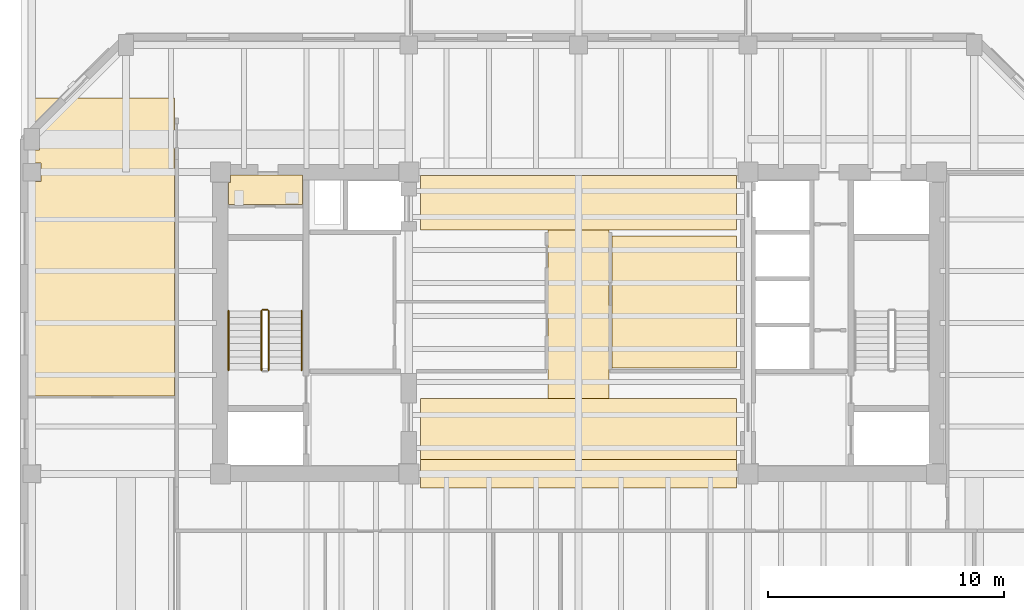
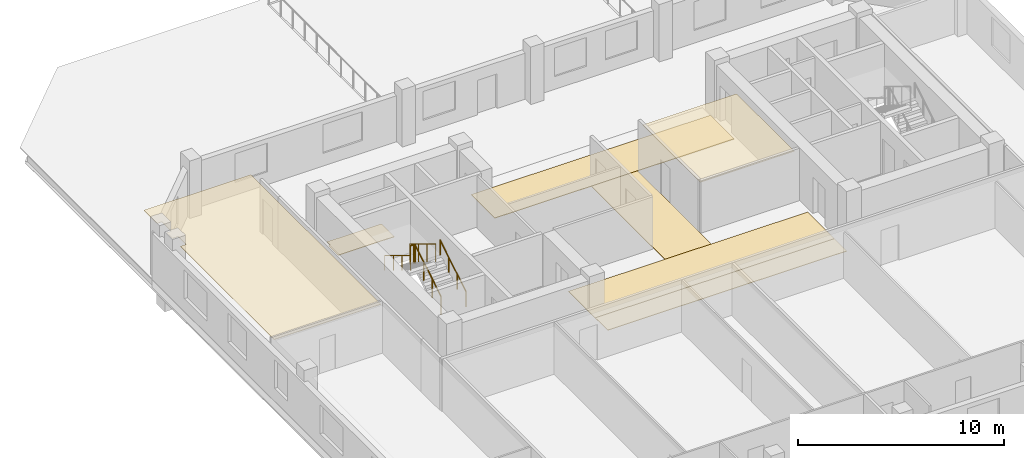
# One storey, part 8 of 11: 7 coverings, 5 railings.
"""IFC4 building model written with IfcOpenShell, lengths in metres."""

from ifc_helpers import new_model, si_unit, direction, frame, origin, origin_2d, place, context, subcontext, project, spatial, polyline, circle, outline, extrude, material, layer, layer_set, type_object, element, save


model = new_model("IFC4")

# Units and contexts
model_context = context("Model", 3, precision=1e-05, world=origin(), true_north=direction((0.0, 1.0)))
body_context = subcontext(model_context, "Body", "Model", "MODEL_VIEW")
ifc_project = project(units=[si_unit("LENGTHUNIT", "METRE"), si_unit("AREAUNIT", "SQUARE_METRE"), si_unit("VOLUMEUNIT", "CUBIC_METRE"), si_unit("PLANEANGLEUNIT", "RADIAN"), si_unit("MASSUNIT", "GRAM", prefix="KILO")], contexts=[model_context])

# Site, building, storey
site_placement = place(None, origin())
site = spatial("IfcSite", under=ifc_project, at=site_placement, CompositionType="ELEMENT")
building_placement = place(site_placement, origin())
building = spatial("IfcBuilding", under=site, at=building_placement, Name="Kranthara Brick Stack", CompositionType="ELEMENT")
storey_placement = place(building_placement, frame((0.0, 0.0, 207.5)))
storey = spatial("IfcBuildingStorey", under=building, at=storey_placement, Name="L53", CompositionType="ELEMENT", Elevation=207.5)

# Coverings
ifc_material_1 = material(Name="Perforated mineral-fibre acoustic ceiling tile", Category="other")
ifc_layer_1 = layer(ifc_material_1, 0.02490234375)
ifc_layer_set_1 = layer_set([ifc_layer_1], Name="Perforated mineral-fibre acoustic ceiling tile")
covering_type_1 = type_object("IfcCoveringType", Name="COV-CEIL-ACOUSTIC", PredefinedType="CEILING", material=ifc_layer_set_1)
covering_1_placement = place(storey_placement, frame((0.0, 0.0, 2.830078125)))
element("IfcCovering", 1, at=covering_1_placement, inside=storey, type_object=covering_type_1, Name="L53 L53 Sky Club Tea Salon Acoustic Ceiling", PredefinedType="CEILING", context=body_context, shape_type="SweptSolid", body=[
    extrude(outline(polyline([(34.699951171875, 25.300048828125), (34.699951171875, 30.89990234375), (29.429931640625, 30.89990234375), (29.429931640625, 25.300048828125), (34.699951171875, 25.300048828125)])), origin(), (0.0, 0.0, 1.0), 0.02490234375),
])
covering_2_placement = place(storey_placement, frame((0.0, 0.0, 2.830078125)))
element("IfcCovering", 2, at=covering_2_placement, inside=storey, type_object=covering_type_1, Name="L53 Unit L53C 1-Bed Apartment Living Dining Acoustic Ceiling", PredefinedType="CEILING", context=body_context, shape_type="SweptSolid", body=[
    extrude(outline(polyline([(10.860107421875, 36.75), (10.860107421875, 24.112060546875), (4.8701171875, 24.112060546875), (4.8701171875, 33.215087890625), (5.18505859375, 33.215087890625), (5.18505859375, 33.985107421875), (4.8701171875, 33.985107421875), (4.8701171875, 34.5400390625), (5.135009765625, 34.5400390625), (5.135009765625, 35.4599609375), (4.8701171875, 35.4599609375), (4.8701171875, 36.75), (10.860107421875, 36.75)])), origin(), (0.0, 0.0, 1.0), 0.02490234375),
])
ifc_material_2 = material(Name="Honed terrazzo and porcelain floor finish", Category="stone")
ifc_layer_2 = layer(ifc_material_2, 0.030029296875)
ifc_layer_set_2 = layer_set([ifc_layer_2], Name="Honed terrazzo and porcelain floor finish")
covering_type_2 = type_object("IfcCoveringType", Name="COV-FLOR-STONE", PredefinedType="FLOORING", material=ifc_layer_set_2)
covering_3_placement = place(storey_placement, origin())
element("IfcCovering", 3, at=covering_3_placement, inside=storey, type_object=covering_type_2, Name="L53 Wet Room Porcelain Flooring", PredefinedType="FLOORING", context=body_context, shape_type="SweptSolid", body=[
    extrude(outline(polyline([(16.300048828125, 33.47998046875), (16.300048828125, 32.22998046875), (13.14990234375, 32.22998046875), (13.14990234375, 33.1650390625), (13.235107421875, 33.1650390625), (13.235107421875, 33.47998046875), (16.300048828125, 33.47998046875)])), origin(), (0.0, 0.0, 1.0), 0.030029296875),
])
covering_4_placement = place(storey_placement, origin())
element("IfcCovering", 4, at=covering_4_placement, inside=storey, type_object=covering_type_2, Name="L53 Lift Lobby Stone Flooring", PredefinedType="FLOORING", context=body_context, shape_type="SweptSolid", body=[
    extrude(outline(polyline([(34.699951171875, 21.39990234375), (34.699951171875, 24.0), (21.300048828125, 24.0), (21.300048828125, 21.39990234375), (34.699951171875, 21.39990234375)])), origin(), (0.0, 0.0, 1.0), 0.030029296875),
])
covering_5_placement = place(storey_placement, origin())
element("IfcCovering", 5, at=covering_5_placement, inside=storey, type_object=covering_type_2, Name="L53 Lift Lobby Stone Flooring", PredefinedType="FLOORING", context=body_context, shape_type="SweptSolid", body=[
    extrude(outline(polyline([(34.699951171875, 31.14990234375), (34.699951171875, 33.449951171875), (21.300048828125, 33.449951171875), (21.300048828125, 31.14990234375), (34.699951171875, 31.14990234375)])), origin(), (0.0, 0.0, 1.0), 0.030029296875),
])
covering_6_placement = place(storey_placement, origin())
element("IfcCovering", 6, at=covering_6_placement, inside=storey, type_object=covering_type_2, Name="L53 Lift Lobby Stone Flooring", PredefinedType="FLOORING", context=body_context, shape_type="SweptSolid", body=[
    extrude(outline(polyline([(29.300048828125, 24.0), (26.699951171875, 24.0), (26.699951171875, 31.14990234375), (29.300048828125, 31.14990234375), (29.300048828125, 24.0)])), origin(), (0.0, 0.0, 1.0), 0.030029296875),
])
covering_7_placement = place(storey_placement, origin())
element("IfcCovering", 7, at=covering_7_placement, inside=storey, type_object=covering_type_2, Name="L53 Lift Lobby Stone Flooring", PredefinedType="FLOORING", context=body_context, shape_type="SweptSolid", body=[
    extrude(outline(polyline([(34.699951171875, 20.199951171875), (21.300048828125, 20.199951171875), (21.300048828125, 21.39990234375), (34.699951171875, 21.39990234375), (34.699951171875, 20.199951171875)])), origin(), (0.0, 0.0, 1.0), 0.030029296875),
])

# Railings
ifc_material_3 = material(Name="Painted galvanized steel stair guardrail", Category="steel")
railing_type_1 = type_object("IfcRailingType", Name="RL-STAIR-GUARD-1100", PredefinedType="GUARDRAIL", material=ifc_material_3)
railing_1_placement = place(storey_placement, frame((14.85009765625, 25.199951171875, 0.169921875)))
element("IfcRailing", 8, at=railing_1_placement, inside=storey, type_object=railing_type_1, Name="L53 ST01 stair guard 1", PredefinedType="GUARDRAIL", context=body_context, shape_type="SweptSolid", body=[
    extrude(circle(Radius=0.02392578125, at=origin_2d()), frame((0.0, 0.0, 1.076171875), z_axis=(0.0, 0.85478489116, 0.518982456201), x_axis=(-1.0, 0.0, 0.0)), (0.0, 0.0, 1.0), 2.9482421875),
    extrude(circle(Radius=0.02099609375, at=origin_2d()), origin(), (0.0, 0.0, 1.0), 1.052001953125),
    extrude(circle(Radius=0.02099609375, at=origin_2d()), frame((0.0, 0.840087890625, 0.510009765625)), (0.0, 0.0, 1.0), 1.052001953125),
    extrude(circle(Radius=0.02099609375, at=origin_2d()), frame((0.0, 1.679931640625, 1.02001953125)), (0.0, 0.0, 1.0), 1.052001953125),
    extrude(circle(Radius=0.02099609375, at=origin_2d()), frame((0.0, 2.52001953125, 1.530029296875)), (0.0, 0.0, 1.0), 1.052001953125),
])
railing_2_placement = place(storey_placement, frame((14.800048828125, 27.77001953125, 1.699951171875)))
element("IfcRailing", 9, at=railing_2_placement, inside=storey, type_object=railing_type_1, Name="L53 ST01 stair guard 2", PredefinedType="GUARDRAIL", context=body_context, shape_type="SweptSolid", body=[
    extrude(circle(Radius=0.02392578125, at=origin_2d()), frame((0.0, 0.0, 1.076171875), z_axis=(-1.0, 0.0, 0.0), x_axis=(0.0, -1.0, 0.0)), (0.0, 0.0, 1.0), 0.199951171875),
    extrude(circle(Radius=0.02099609375, at=origin_2d()), origin(), (0.0, 0.0, 1.0), 1.052001953125),
    extrude(circle(Radius=0.02099609375, at=origin_2d()), frame((-0.199951171875, 0.0, 0.0)), (0.0, 0.0, 1.0), 1.052001953125),
])
railing_3_placement = place(storey_placement, frame((14.550048828125, 27.719970703125, 1.8701171875)))
element("IfcRailing", 10, at=railing_3_placement, inside=storey, type_object=railing_type_1, Name="L53 ST01 stair guard 3", PredefinedType="GUARDRAIL", context=body_context, shape_type="SweptSolid", body=[
    extrude(circle(Radius=0.02392578125, at=origin_2d()), frame((0.0, 0.0, 1.076171875), z_axis=(0.0, -0.854821627497, 0.518921945155), x_axis=(1.0, 0.0, 0.0)), (0.0, 0.0, 1.0), 2.947998046875),
    extrude(circle(Radius=0.02099609375, at=origin_2d()), origin(), (0.0, 0.0, 1.0), 1.052001953125),
    extrude(circle(Radius=0.02099609375, at=origin_2d()), frame((0.0, -0.840087890625, 0.510009765625)), (0.0, 0.0, 1.0), 1.052001953125),
    extrude(circle(Radius=0.02099609375, at=origin_2d()), frame((0.0, -1.679931640625, 1.019775390625)), (0.0, 0.0, 1.0), 1.052001953125),
    extrude(circle(Radius=0.02099609375, at=origin_2d()), frame((0.0, -2.52001953125, 1.52978515625)), (0.0, 0.0, 1.0), 1.052001953125),
])
ifc_material_4 = material(Name="Brushed stainless steel tubular handrail", Category="steel")
railing_type_2 = type_object("IfcRailingType", Name="RL-STAIR-HAND-900", PredefinedType="HANDRAIL", material=ifc_material_4)
railing_4_placement = place(storey_placement, frame((16.25, 25.199951171875, 0.169921875)))
element("IfcRailing", 11, at=railing_4_placement, inside=storey, type_object=railing_type_2, Name="L53 ST01 stair handrail 1", PredefinedType="HANDRAIL", context=body_context, shape_type="SweptSolid", body=[
    extrude(circle(Radius=0.02392578125, at=origin_2d()), frame((0.0, 0.0, 0.8759765625), z_axis=(0.0, 0.85478489116, 0.518982456201), x_axis=(-1.0, 0.0, 0.0)), (0.0, 0.0, 1.0), 2.9482421875),
    extrude(circle(Radius=0.02099609375, at=origin_2d()), origin(), (0.0, 0.0, 1.0), 0.851806640625),
    extrude(circle(Radius=0.02099609375, at=origin_2d()), frame((0.0, 0.840087890625, 0.510009765625)), (0.0, 0.0, 1.0), 0.851806640625),
    extrude(circle(Radius=0.02099609375, at=origin_2d()), frame((0.0, 1.679931640625, 1.02001953125)), (0.0, 0.0, 1.0), 0.851806640625),
    extrude(circle(Radius=0.02099609375, at=origin_2d()), frame((0.0, 2.52001953125, 1.530029296875)), (0.0, 0.0, 1.0), 0.851806640625),
])
railing_5_placement = place(storey_placement, frame((13.14990234375, 27.719970703125, 1.8701171875)))
element("IfcRailing", 12, at=railing_5_placement, inside=storey, type_object=railing_type_2, Name="L53 ST01 stair handrail 2", PredefinedType="HANDRAIL", context=body_context, shape_type="SweptSolid", body=[
    extrude(circle(Radius=0.02392578125, at=origin_2d()), frame((0.0, 0.0, 0.8759765625), z_axis=(0.0, -0.854821627497, 0.518921945155), x_axis=(1.0, 0.0, 0.0)), (0.0, 0.0, 1.0), 2.947998046875),
    extrude(circle(Radius=0.02099609375, at=origin_2d()), origin(), (0.0, 0.0, 1.0), 0.851806640625),
    extrude(circle(Radius=0.02099609375, at=origin_2d()), frame((0.0, -0.840087890625, 0.510009765625)), (0.0, 0.0, 1.0), 0.851806640625),
    extrude(circle(Radius=0.02099609375, at=origin_2d()), frame((0.0, -1.679931640625, 1.019775390625)), (0.0, 0.0, 1.0), 0.851806640625),
    extrude(circle(Radius=0.02099609375, at=origin_2d()), frame((0.0, -2.52001953125, 1.52978515625)), (0.0, 0.0, 1.0), 0.851806640625),
])

save(model, "model.ifc")
